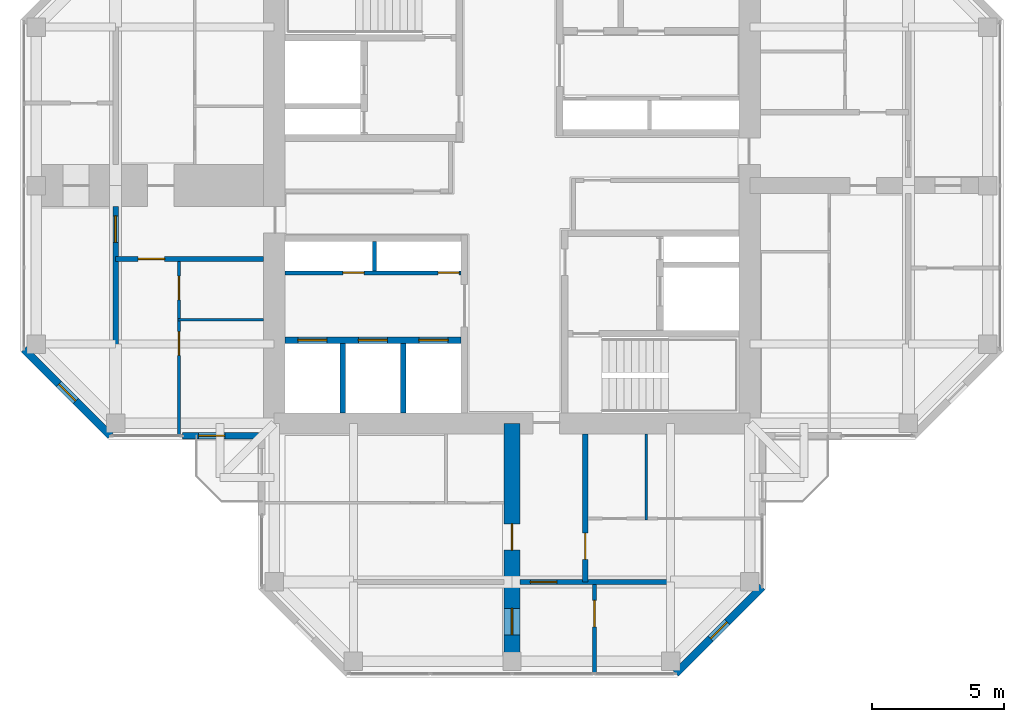
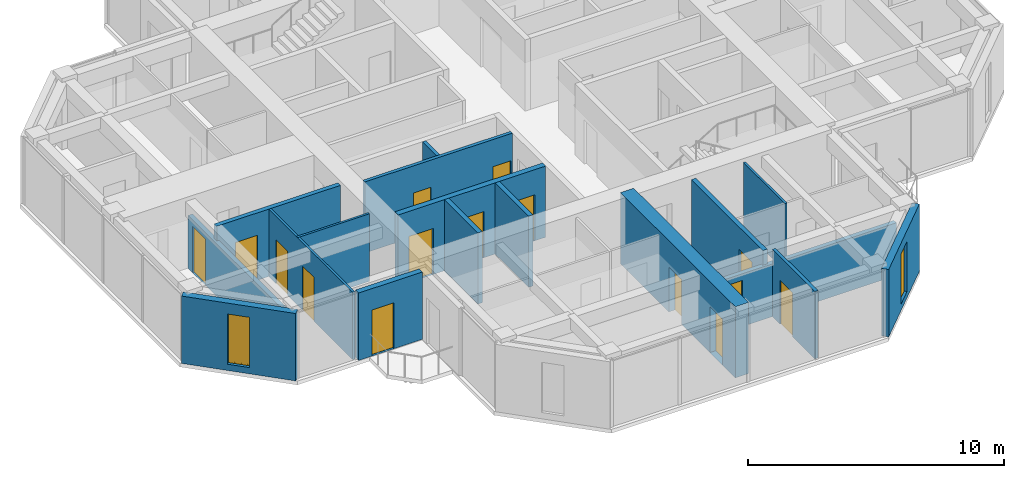
# One storey, part 8 of 13: 17 walls, 15 doors, 2 windows, 17 openings.
"""IFC4 building model written with IfcOpenShell, lengths in metres."""

from ifc_helpers import new_model, si_unit, direction, frame, frame_2d, origin, place, context, subcontext, project, spatial, rectangle, hollow_rectangle, extrude, material, layer, layer_set, constituent, constituent_set, type_object, element, fill, save


model = new_model("IFC4")

# Units and contexts
model_context = context("Model", 3, precision=1e-05, world=origin(), true_north=direction((0.0, 1.0)))
body_context = subcontext(model_context, "Body", "Model", "MODEL_VIEW")
ifc_project = project(units=[si_unit("LENGTHUNIT", "METRE"), si_unit("AREAUNIT", "SQUARE_METRE"), si_unit("VOLUMEUNIT", "CUBIC_METRE"), si_unit("PLANEANGLEUNIT", "RADIAN"), si_unit("MASSUNIT", "GRAM", prefix="KILO")], contexts=[model_context])

# Site, building, storey
site_placement = place(None, origin())
site = spatial("IfcSite", under=ifc_project, at=site_placement, CompositionType="ELEMENT")
building_placement = place(site_placement, origin())
building = spatial("IfcBuilding", under=site, at=building_placement, Name="Torre Cruceta", CompositionType="ELEMENT")
storey_placement = place(building_placement, frame((0.0, 0.0, 264.5)))
storey = spatial("IfcBuildingStorey", under=building, at=storey_placement, Name="L68", CompositionType="ELEMENT", Elevation=264.5)

# Walls
ifc_material_1 = material(Name="Water-resistant plasterboard on steel studs", Category="steel")
ifc_layer_1 = layer(ifc_material_1, 0.10009765625)
ifc_layer_set_1 = layer_set([ifc_layer_1], Name="Water-resistant plasterboard on steel studs")
wall_type_1 = type_object("IfcWallType", Name="BATHROOM WALL 100", PredefinedType="PARTITIONING", material=ifc_layer_set_1)
for number, where, z_axis, x_axis, name in (
    (1, (5.074951171875, -9.39990234375, 0.0), (0.0, 0.0, 1.0), (0.0, -1.0, 0.0), "PT4 L68-S-U1LBB"),
    (2, (-9.39990234375, -5.074951171875, 0.0), (0.0, 0.0, 1.0), (-1.0, 0.0, 0.0), "PT4 L68-W-U1LBB"),
):
    element("IfcWall", number, at=place(storey_placement, frame(where, z_axis=z_axis, x_axis=x_axis)), inside=storey, type_object=wall_type_1, Name=name, PredefinedType="PARTITIONING", context=body_context, shape_type="SweptSolid", body=[
        extrude(rectangle(XDim=3.25, YDim=0.10009765625, at=frame_2d((1.625, 0.0))), origin(), (0.0, 0.0, 1.0), 3.219970703125),
    ])

# Wall, openings, doors
wall_1_placement = place(storey_placement, frame((-12.60009765625, -2.875, 0.0), z_axis=(0.0, 0.0, 1.0), x_axis=(0.0, -1.0, 0.0)))
wall_1 = element("IfcWall", 3, at=wall_1_placement, inside=storey, type_object=wall_type_1, Name="PT4 L68-W-U1LBS", PredefinedType="PARTITIONING", context=body_context, shape_type="SweptSolid", body=[
    extrude(rectangle(XDim=6.554931640625, YDim=0.10009765625, at=frame_2d((3.27734375, 0.0))), origin(), (0.0, 0.0, 1.0), 3.219970703125),
])
opening_1_placement = place(wall_1_placement, frame((0.550048828125, 0.0, 0.0)))
opening_1 = element("IfcOpeningElement", 4, at=opening_1_placement, cuts=wall_1, Name="Opening D7", PredefinedType="OPENING", context=body_context, shape_type="SweptSolid", body=[
    extrude(rectangle(XDim=0.89990234375, YDim=2.10009765625, at=frame_2d((0.449951171875, 1.050048828125))), frame((0.0, 0.06005859375, 0.0), z_axis=(0.0, -1.0, 0.0), x_axis=(1.0, 0.0, 0.0)), (0.0, 0.0, 1.0), 0.1201171875),
])
opening_2_placement = place(wall_1_placement, frame((2.64990234375, 0.0, 0.0)))
opening_2 = element("IfcOpeningElement", 5, at=opening_2_placement, cuts=wall_1, Name="Opening D7", PredefinedType="OPENING", context=body_context, shape_type="SweptSolid", body=[
    extrude(rectangle(XDim=0.89990234375, YDim=2.10009765625, at=frame_2d((0.449951171875, 1.050048828125))), frame((0.0, 0.06005859375, 0.0), z_axis=(0.0, -1.0, 0.0), x_axis=(1.0, 0.0, 0.0)), (0.0, 0.0, 1.0), 0.1201171875),
])
ifc_material_2 = material(Name="Timber door", Category="wood")
door_type_1 = type_object("IfcDoorType", Name="BATHROOM DOOR 900X2100", OperationType="SINGLE_SWING_LEFT", PredefinedType="DOOR", material=ifc_material_2)
door_1_placement = place(opening_1_placement, origin())
door_1 = element("IfcDoor", 6, at=door_1_placement, inside=storey, type_object=door_type_1, Name="D7 L68-W-U1LBS-D1", OperationType="SINGLE_SWING_LEFT", OverallHeight=2.10009765625, OverallWidth=0.89990234375, PredefinedType="DOOR", context=body_context, shape_type="SweptSolid", body=[
    extrude(rectangle(XDim=0.89990234375, YDim=2.10009765625, at=frame_2d((0.449951171875, 1.050048828125))), frame((0.0, 0.02490234375, 0.0), z_axis=(0.0, -1.0, 0.0), x_axis=(1.0, 0.0, 0.0)), (0.0, 0.0, 1.0), 0.050048828125),
])
fill(opening_1, door_1)
door_2_placement = place(opening_2_placement, origin())
door_2 = element("IfcDoor", 7, at=door_2_placement, inside=storey, type_object=door_type_1, Name="D7 L68-W-U1LBS-D2", OperationType="SINGLE_SWING_LEFT", OverallHeight=2.10009765625, OverallWidth=0.89990234375, PredefinedType="DOOR", context=body_context, shape_type="SweptSolid", body=[
    extrude(rectangle(XDim=0.89990234375, YDim=2.10009765625, at=frame_2d((0.449951171875, 1.050048828125))), frame((0.0, 0.02490234375, 0.0), z_axis=(0.0, -1.0, 0.0), x_axis=(1.0, 0.0, 0.0)), (0.0, 0.0, 1.0), 0.050048828125),
])
fill(opening_2, door_2)

ifc_material_3 = material(Name="Concrete G60 (fck 60 MPa)", Category="concrete")
ifc_layer_2 = layer(ifc_material_3, 0.25)
ifc_layer_set_2 = layer_set([ifc_layer_2], Name="Concrete G60 (fck 60 MPa)")
wall_type_2 = type_object("IfcWallType", Name="CORE INNER WALL 250 G60", PredefinedType="SHEAR", material=ifc_layer_set_2)
wall_2_placement = place(storey_placement, frame((-1.925048828125, -5.85009765625, 0.0), z_axis=(0.0, 0.0, 1.0), x_axis=(-1.0, 0.0, 0.0)))
wall_2 = element("IfcWall", 8, at=wall_2_placement, inside=storey, type_object=wall_type_2, Name="CW4 L68 SW-LV", PredefinedType="SHEAR", context=body_context, shape_type="SweptSolid", body=[
    extrude(rectangle(XDim=6.675048828125, YDim=0.25, at=frame_2d((3.33740234375, 0.0))), origin(), (0.0, 0.0, 1.0), 3.39990234375),
])
opening_3_placement = place(wall_2_placement, frame((0.495849609375, 0.0, 0.0)))
opening_3 = element("IfcOpeningElement", 9, at=opening_3_placement, cuts=wall_2, Name="Opening LD1", PredefinedType="OPENING", context=body_context, shape_type="SweptSolid", body=[
    extrude(rectangle(XDim=1.10009765625, YDim=2.199951171875, at=frame_2d((0.550048828125, 1.10009765625))), frame((0.0, 0.135009765625, 0.0), z_axis=(0.0, -1.0, 0.0), x_axis=(1.0, 0.0, 0.0)), (0.0, 0.0, 1.0), 0.27001953125),
])
opening_4_placement = place(wall_2_placement, frame((2.78759765625, 0.0, 0.0)))
opening_4 = element("IfcOpeningElement", 10, at=opening_4_placement, cuts=wall_2, Name="Opening LD1", PredefinedType="OPENING", context=body_context, shape_type="SweptSolid", body=[
    extrude(rectangle(XDim=1.10009765625, YDim=2.199951171875, at=frame_2d((0.550048828125, 1.10009765625))), frame((0.0, 0.135009765625, 0.0), z_axis=(0.0, -1.0, 0.0), x_axis=(1.0, 0.0, 0.0)), (0.0, 0.0, 1.0), 0.27001953125),
])
opening_5_placement = place(wall_2_placement, frame((5.0791015625, 0.0, 0.0)))
opening_5 = element("IfcOpeningElement", 11, at=opening_5_placement, cuts=wall_2, Name="Opening LD1", PredefinedType="OPENING", context=body_context, shape_type="SweptSolid", body=[
    extrude(rectangle(XDim=1.10009765625, YDim=2.199951171875, at=frame_2d((0.550048828125, 1.10009765625))), frame((0.0, 0.135009765625, 0.0), z_axis=(0.0, -1.0, 0.0), x_axis=(1.0, 0.0, 0.0)), (0.0, 0.0, 1.0), 0.27001953125),
])
ifc_material_4 = material(Name="Stainless steel 1.4401", Category="steel")
door_type_2 = type_object("IfcDoorType", Name="LIFT LANDING DOOR 1100X2200", OperationType="DOUBLE_DOOR_SLIDING", PredefinedType="DOOR", material=ifc_material_4)
door_3_placement = place(opening_3_placement, origin())
door_3 = element("IfcDoor", 12, at=door_3_placement, inside=storey, type_object=door_type_2, Name="Lift landing door R1", OperationType="DOUBLE_DOOR_SLIDING", OverallHeight=2.199951171875, OverallWidth=1.10009765625, PredefinedType="DOOR", context=body_context, shape_type="SweptSolid", body=[
    extrude(rectangle(XDim=1.10009765625, YDim=2.199951171875, at=frame_2d((0.550048828125, 1.10009765625))), frame((0.0, 0.02490234375, 0.0), z_axis=(0.0, -1.0, 0.0), x_axis=(1.0, 0.0, 0.0)), (0.0, 0.0, 1.0), 0.050048828125),
])
fill(opening_3, door_3)
door_4_placement = place(opening_4_placement, origin())
door_4 = element("IfcDoor", 13, at=door_4_placement, inside=storey, type_object=door_type_2, Name="Lift landing door R2", OperationType="DOUBLE_DOOR_SLIDING", OverallHeight=2.199951171875, OverallWidth=1.10009765625, PredefinedType="DOOR", context=body_context, shape_type="SweptSolid", body=[
    extrude(rectangle(XDim=1.10009765625, YDim=2.199951171875, at=frame_2d((0.550048828125, 1.10009765625))), frame((0.0, 0.02490234375, 0.0), z_axis=(0.0, -1.0, 0.0), x_axis=(1.0, 0.0, 0.0)), (0.0, 0.0, 1.0), 0.050048828125),
])
fill(opening_4, door_4)
door_5_placement = place(opening_5_placement, origin())
door_5 = element("IfcDoor", 14, at=door_5_placement, inside=storey, type_object=door_type_2, Name="Lift landing door R3", OperationType="DOUBLE_DOOR_SLIDING", OverallHeight=2.199951171875, OverallWidth=1.10009765625, PredefinedType="DOOR", context=body_context, shape_type="SweptSolid", body=[
    extrude(rectangle(XDim=1.10009765625, YDim=2.199951171875, at=frame_2d((0.550048828125, 1.10009765625))), frame((0.0, 0.02490234375, 0.0), z_axis=(0.0, -1.0, 0.0), x_axis=(1.0, 0.0, 0.0)), (0.0, 0.0, 1.0), 0.050048828125),
])
fill(opening_5, door_5)

# Wall, opening, door
ifc_material_5 = material(Name="Concrete G25 (fck 25 MPa)", Category="concrete")
ifc_layer_3 = layer(ifc_material_5, 0.199951171875)
ifc_layer_set_3 = layer_set([ifc_layer_3], Name="Concrete G25 (fck 25 MPa)")
wall_type_3 = type_object("IfcWallType", Name="CORRIDOR WALL 200", PredefinedType="SOLIDWALL", material=ifc_layer_set_3)
wall_3_placement = place(storey_placement, frame((2.77490234375, -9.39990234375, 0.0), z_axis=(0.0, 0.0, 1.0), x_axis=(0.0, -1.0, 0.0)))
wall_3 = element("IfcWall", 15, at=wall_3_placement, inside=storey, type_object=wall_type_3, Name="PT3 L68-S-CL", PredefinedType="SOLIDWALL", context=body_context, shape_type="SweptSolid", body=[
    extrude(rectangle(XDim=5.60009765625, YDim=0.199951171875, at=frame_2d((2.800048828125, 0.0))), origin(), (0.0, 0.0, 1.0), 3.219970703125),
])
opening_6_placement = place(wall_3_placement, frame((3.75, 0.0, 0.0)))
opening_6 = element("IfcOpeningElement", 16, at=opening_6_placement, cuts=wall_3, Name="Opening D6", PredefinedType="OPENING", context=body_context, shape_type="SweptSolid", body=[
    extrude(rectangle(XDim=1.0, YDim=2.14990234375, at=frame_2d((0.5, 1.074951171875))), frame((0.0, 0.10986328125, 0.0), z_axis=(0.0, -1.0, 0.0), x_axis=(1.0, 0.0, 0.0)), (0.0, 0.0, 1.0), 0.219970703125),
])
ifc_material_6 = material(Name="Timber fire door", Category="wood")
door_type_3 = type_object("IfcDoorType", Name="UNIT ENTRANCE DOOR 1000X2150", OperationType="SINGLE_SWING_LEFT", PredefinedType="DOOR", material=ifc_material_6)
door_6_placement = place(opening_6_placement, origin())
door_6 = element("IfcDoor", 17, at=door_6_placement, inside=storey, type_object=door_type_3, Name="D6 L68-S-CL-D1", OperationType="SINGLE_SWING_LEFT", OverallHeight=2.14990234375, OverallWidth=1.0, PredefinedType="DOOR", context=body_context, shape_type="SweptSolid", body=[
    extrude(rectangle(XDim=1.0, YDim=2.14990234375, at=frame_2d((0.5, 1.074951171875))), frame((0.0, 0.02490234375, 0.0), z_axis=(0.0, -1.0, 0.0), x_axis=(1.0, 0.0, 0.0)), (0.0, 0.0, 1.0), 0.050048828125),
])
fill(opening_6, door_6)

wall_4_placement = place(storey_placement, frame((-9.39990234375, -2.77490234375, 0.0), z_axis=(0.0, 0.0, 1.0), x_axis=(-1.0, 0.0, 0.0)))
wall_4 = element("IfcWall", 18, at=wall_4_placement, inside=storey, type_object=wall_type_3, Name="PT3 L68-W-CL", PredefinedType="SOLIDWALL", context=body_context, shape_type="SweptSolid", body=[
    extrude(rectangle(XDim=5.60009765625, YDim=0.199951171875, at=frame_2d((2.800048828125, 0.0))), origin(), (0.0, 0.0, 1.0), 3.219970703125),
])
opening_7_placement = place(wall_4_placement, frame((3.75, 0.0, 0.0)))
opening_7 = element("IfcOpeningElement", 19, at=opening_7_placement, cuts=wall_4, Name="Opening D6", PredefinedType="OPENING", context=body_context, shape_type="SweptSolid", body=[
    extrude(rectangle(XDim=1.0, YDim=2.14990234375, at=frame_2d((0.5, 1.074951171875))), frame((0.0, 0.10986328125, 0.0), z_axis=(0.0, -1.0, 0.0), x_axis=(1.0, 0.0, 0.0)), (0.0, 0.0, 1.0), 0.219970703125),
])
door_7_placement = place(opening_7_placement, origin())
door_7 = element("IfcDoor", 20, at=door_7_placement, inside=storey, type_object=door_type_3, Name="D6 L68-W-CL-D1", OperationType="SINGLE_SWING_LEFT", OverallHeight=2.14990234375, OverallWidth=1.0, PredefinedType="DOOR", context=body_context, shape_type="SweptSolid", body=[
    extrude(rectangle(XDim=1.0, YDim=2.14990234375, at=frame_2d((0.5, 1.074951171875))), frame((0.0, 0.02490234375, 0.0), z_axis=(0.0, -1.0, 0.0), x_axis=(1.0, 0.0, 0.0)), (0.0, 0.0, 1.0), 0.050048828125),
])
fill(opening_7, door_7)

# Wall, opening, window
ifc_material_7 = material(Name="Concrete G30 (fck 30 MPa)", Category="concrete")
ifc_layer_4 = layer(ifc_material_7, 0.300048828125)
ifc_layer_set_4 = layer_set([ifc_layer_4], Name="Concrete G30 (fck 30 MPa)")
wall_type_4 = type_object("IfcWallType", Name="EXPOSED CONCRETE FACADE WALL 300", PredefinedType="SOLIDWALL", material=ifc_layer_set_4)
wall_5_placement = place(storey_placement, frame((-18.469970703125, -6.194580078125, 0.0), z_axis=(0.0, 0.0, 1.0), x_axis=(0.707106781187, -0.707106781187, 0.0)))
wall_5 = element("IfcWall", 21, at=wall_5_placement, inside=storey, type_object=wall_type_4, Name="EW1 facade wall L68 W chamfer 13", PredefinedType="SOLIDWALL", context=body_context, shape_type="SweptSolid", body=[
    extrude(rectangle(XDim=4.632080078125, YDim=0.300048828125, at=frame_2d((2.31591796875, 0.0))), origin(), (0.0, 0.0, 1.0), 3.219970703125),
])
opening_8_placement = place(wall_5_placement, frame((1.865966796875, 0.0, 0.300048828125)))
opening_8 = element("IfcOpeningElement", 22, at=opening_8_placement, cuts=wall_5, Name="Opening WN5", PredefinedType="OPENING", context=body_context, shape_type="SweptSolid", body=[
    extrude(rectangle(XDim=0.89990234375, YDim=2.39990234375, at=frame_2d((0.449951171875, 1.199951171875))), frame((0.0, 0.159912109375, 0.0), z_axis=(0.0, -1.0, 0.0), x_axis=(1.0, 0.0, 0.0)), (0.0, 0.0, 1.0), 0.320068359375),
])
ifc_material_8 = material(Name="Aluminium window frame", Category="aluminium")
ifc_constituent_1 = constituent(ifc_material_8, Name="Frame")
ifc_material_9 = material(Name="Laminated insulating glass unit, low-iron clear", Category="glass")
ifc_constituent_2 = constituent(ifc_material_9, Name="Glazing")
ifc_constituent_set_1 = constituent_set(constituents=[ifc_constituent_1, ifc_constituent_2], Name="Aluminium window")
window_type = type_object("IfcWindowType", Name="CHAMFER SLOT WINDOW 900X2400", PartitioningType="SINGLE_PANEL", PredefinedType="WINDOW", material=ifc_constituent_set_1)
window_1_placement = place(opening_8_placement, origin())
window_1 = element("IfcWindow", 23, at=window_1_placement, inside=storey, type_object=window_type, Name="WN5 L68 W 1", OverallHeight=2.39990234375, OverallWidth=0.89990234375, PartitioningType="SINGLE_PANEL", PredefinedType="WINDOW", context=body_context, shape_type="SweptSolid", body=[
    extrude(hollow_rectangle(XDim=0.89990234375, YDim=2.39990234375, WallThickness=0.06005859375, at=frame_2d((0.449951171875, 1.199951171875))), frame((0.0, 0.030029296875, 0.0), z_axis=(0.0, -1.0, 0.0), x_axis=(1.0, 0.0, 0.0)), (0.0, 0.0, 1.0), 0.06005859375),
    extrude(rectangle(XDim=0.77880859375, YDim=2.27880859375, at=frame_2d((0.449951171875, 1.199951171875))), frame((0.0, 0.030029296875, 0.0), z_axis=(0.0, -1.0, 0.0), x_axis=(1.0, 0.0, 0.0)), (0.0, 0.0, 1.0), 0.06005859375),
])
fill(opening_8, window_1)

wall_6_placement = place(storey_placement, frame((6.194580078125, -18.469970703125, 0.0), z_axis=(0.0, 0.0, 1.0), x_axis=(0.707106781187, 0.707106781187, 0.0)))
wall_6 = element("IfcWall", 24, at=wall_6_placement, inside=storey, type_object=wall_type_4, Name="EW1 facade wall L68 S chamfer 18", PredefinedType="SOLIDWALL", context=body_context, shape_type="SweptSolid", body=[
    extrude(rectangle(XDim=4.632080078125, YDim=0.300048828125, at=frame_2d((2.31591796875, 0.0))), origin(), (0.0, 0.0, 1.0), 3.219970703125),
])
opening_9_placement = place(wall_6_placement, frame((1.865966796875, 0.0, 0.300048828125)))
opening_9 = element("IfcOpeningElement", 25, at=opening_9_placement, cuts=wall_6, Name="Opening WN5", PredefinedType="OPENING", context=body_context, shape_type="SweptSolid", body=[
    extrude(rectangle(XDim=0.89990234375, YDim=2.39990234375, at=frame_2d((0.449951171875, 1.199951171875))), frame((0.0, 0.159912109375, 0.0), z_axis=(0.0, -1.0, 0.0), x_axis=(1.0, 0.0, 0.0)), (0.0, 0.0, 1.0), 0.320068359375),
])
window_2_placement = place(opening_9_placement, origin())
window_2 = element("IfcWindow", 26, at=window_2_placement, inside=storey, type_object=window_type, Name="WN5 L68 S 1", OverallHeight=2.39990234375, OverallWidth=0.89990234375, PartitioningType="SINGLE_PANEL", PredefinedType="WINDOW", context=body_context, shape_type="SweptSolid", body=[
    extrude(hollow_rectangle(XDim=0.89990234375, YDim=2.39990234375, WallThickness=0.06005859375, at=frame_2d((0.449951171875, 1.199951171875))), frame((0.0, 0.030029296875, 0.0), z_axis=(0.0, -1.0, 0.0), x_axis=(1.0, 0.0, 0.0)), (0.0, 0.0, 1.0), 0.06005859375),
    extrude(rectangle(XDim=0.77880859375, YDim=2.27880859375, at=frame_2d((0.449951171875, 1.199951171875))), frame((0.0, 0.030029296875, 0.0), z_axis=(0.0, -1.0, 0.0), x_axis=(1.0, 0.0, 0.0)), (0.0, 0.0, 1.0), 0.06005859375),
])
fill(opening_9, window_2)

# Walls
ifc_material_10 = material(Name="Concrete G35 (fck 35 MPa)", Category="concrete")
ifc_layer_5 = layer(ifc_material_10, 0.199951171875)
ifc_layer_set_5 = layer_set([ifc_layer_5], Name="Concrete G35 (fck 35 MPa)")
wall_type_5 = type_object("IfcWallType", Name="LIFT SHAFT WALL 200", PredefinedType="PARTITIONING", material=ifc_layer_set_5)
for number, where, z_axis, x_axis, name in (
    (27, (-4.11669921875, -5.97509765625, 0.0), (0.0, 0.0, 1.0), (0.0, -1.0, 0.0), "SW1 L68 SW-LS1"),
    (28, (-6.408447265625, -5.97509765625, 0.0), (0.0, 0.0, 1.0), (0.0, -1.0, 0.0), "SW1 L68 SW-LS2"),
):
    element("IfcWall", number, at=place(storey_placement, frame(where, z_axis=z_axis, x_axis=x_axis)), inside=storey, type_object=wall_type_5, Name=name, PredefinedType="PARTITIONING", context=body_context, shape_type="SweptSolid", body=[
        extrude(rectangle(XDim=2.625, YDim=0.199951171875, at=frame_2d((1.3125, 0.0))), origin(), (0.0, 0.0, 1.0), 3.39990234375),
    ])

# Wall, opening, door
ifc_material_11 = material(Name="Plasterboard on steel studs", Category="steel")
ifc_layer_6 = layer(ifc_material_11, 0.14990234375)
ifc_layer_set_6 = layer_set([ifc_layer_6], Name="Plasterboard on steel studs")
wall_type_6 = type_object("IfcWallType", Name="PARTITION 150", PredefinedType="PARTITIONING", material=ifc_layer_set_6)
wall_7_placement = place(storey_placement, frame((3.117919921875, -15.10009765625, 0.0), z_axis=(0.0, 0.0, 1.0), x_axis=(0.0, -1.0, 0.0)))
wall_7 = element("IfcWall", 29, at=wall_7_placement, inside=storey, type_object=wall_type_6, Name="PT1 L68-S-ENDX", PredefinedType="PARTITIONING", context=body_context, shape_type="SweptSolid", body=[
    extrude(rectangle(XDim=3.329833984375, YDim=0.14990234375, at=frame_2d((1.6650390625, 0.0))), origin(), (0.0, 0.0, 1.0), 3.219970703125),
])
opening_10_placement = place(wall_7_placement, frame((0.60009765625, 0.0, 0.0)))
opening_10 = element("IfcOpeningElement", 30, at=opening_10_placement, cuts=wall_7, Name="Opening D3", PredefinedType="OPENING", context=body_context, shape_type="SweptSolid", body=[
    extrude(rectangle(XDim=1.0, YDim=2.10009765625, at=frame_2d((0.5, 1.050048828125))), frame((0.0, 0.0849609375, 0.0), z_axis=(0.0, -1.0, 0.0), x_axis=(1.0, 0.0, 0.0)), (0.0, 0.0, 1.0), 0.169921875),
])
ifc_material_12 = material(Name="Steel DX51D", Category="steel")
ifc_constituent_3 = constituent(ifc_material_12, Name="Leaf and frame")
ifc_material_13 = material(Name="Polyester powder coating", Category="paint")
ifc_constituent_4 = constituent(ifc_material_13, Name="Finish")
ifc_constituent_set_2 = constituent_set(constituents=[ifc_constituent_3, ifc_constituent_4], Name="Steel fire door")
door_type_4 = type_object("IfcDoorType", Name="FIRE DOOR 1000X2100", OperationType="SINGLE_SWING_LEFT", PredefinedType="DOOR", material=ifc_constituent_set_2)
door_8_placement = place(opening_10_placement, frame((1.0, 0.0, 0.0), z_axis=(0.0, 0.0, 1.0), x_axis=(-1.0, 0.0, 0.0)))
door_8 = element("IfcDoor", 31, at=door_8_placement, inside=storey, type_object=door_type_4, Name="D3 L68-S-ENDX-D1", OperationType="SINGLE_SWING_RIGHT", OverallHeight=2.10009765625, OverallWidth=1.0, PredefinedType="DOOR", context=body_context, shape_type="SweptSolid", body=[
    extrude(rectangle(XDim=1.0, YDim=2.10009765625, at=frame_2d((0.5, 1.050048828125))), frame((0.0, 0.025146484375, 0.0), z_axis=(0.0, -1.0, 0.0), x_axis=(1.0, 0.0, 0.0)), (0.0, 0.0, 1.0), 0.050048828125),
])
fill(opening_10, door_8)

# Wall, openings, doors
ifc_material_14 = material(Name="Concrete block masonry", Category="masonry")
ifc_layer_7 = layer(ifc_material_14, 0.14990234375)
ifc_layer_set_7 = layer_set([ifc_layer_7], Name="Concrete block masonry")
wall_type_7 = type_object("IfcWallType", Name="RISER WALL 150", PredefinedType="PARTITIONING", material=ifc_layer_set_7)
wall_8_placement = place(storey_placement, frame((-1.925048828125, -3.300048828125, 0.0), z_axis=(0.0, 0.0, 1.0), x_axis=(-1.0, 0.0, 0.0)))
wall_8 = element("IfcWall", 32, at=wall_8_placement, inside=storey, type_object=wall_type_7, Name="SW7 L68 SW-RV", PredefinedType="PARTITIONING", context=body_context, shape_type="SweptSolid", body=[
    extrude(rectangle(XDim=6.675048828125, YDim=0.14990234375, at=frame_2d((3.33740234375, 0.0))), origin(), (0.0, 0.0, 1.0), 3.39990234375),
])
opening_11_placement = place(wall_8_placement, frame((0.074951171875, 0.0, 0.0)))
opening_11 = element("IfcOpeningElement", 33, at=opening_11_placement, cuts=wall_8, Name="Opening D5", PredefinedType="OPENING", context=body_context, shape_type="SweptSolid", body=[
    extrude(rectangle(XDim=0.800048828125, YDim=2.10009765625, at=frame_2d((0.39990234375, 1.050048828125))), frame((0.0, 0.0849609375, 0.0), z_axis=(0.0, -1.0, 0.0), x_axis=(1.0, 0.0, 0.0)), (0.0, 0.0, 1.0), 0.169921875),
])
opening_12_placement = place(wall_8_placement, frame((3.675048828125, 0.0, 0.0)))
opening_12 = element("IfcOpeningElement", 34, at=opening_12_placement, cuts=wall_8, Name="Opening D5", PredefinedType="OPENING", context=body_context, shape_type="SweptSolid", body=[
    extrude(rectangle(XDim=0.800048828125, YDim=2.10009765625, at=frame_2d((0.39990234375, 1.050048828125))), frame((0.0, 0.0849609375, 0.0), z_axis=(0.0, -1.0, 0.0), x_axis=(1.0, 0.0, 0.0)), (0.0, 0.0, 1.0), 0.169921875),
])
ifc_material_15 = material(Name="Steel DX51D", Category="steel")
ifc_constituent_5 = constituent(ifc_material_15, Name="Leaf and frame")
ifc_material_16 = material(Name="Polyester powder coating", Category="paint")
ifc_constituent_6 = constituent(ifc_material_16, Name="Finish")
ifc_constituent_set_3 = constituent_set(constituents=[ifc_constituent_5, ifc_constituent_6], Name="Steel fire door")
door_type_5 = type_object("IfcDoorType", Name="RISER ACCESS DOOR 800X2100", OperationType="SINGLE_SWING_LEFT", PredefinedType="DOOR", material=ifc_constituent_set_3)
door_9_placement = place(opening_11_placement, frame((0.800048828125, 0.0, 0.0), z_axis=(0.0, 0.0, 1.0), x_axis=(-1.0, 0.0, 0.0)))
door_9 = element("IfcDoor", 35, at=door_9_placement, inside=storey, type_object=door_type_5, Name="D5 L68 SW-RISER1", OperationType="SINGLE_SWING_RIGHT", OverallHeight=2.10009765625, OverallWidth=0.800048828125, PredefinedType="DOOR", context=body_context, shape_type="SweptSolid", body=[
    extrude(rectangle(XDim=0.800048828125, YDim=2.10009765625, at=frame_2d((0.400146484375, 1.050048828125))), frame((0.0, 0.025146484375, 0.0), z_axis=(0.0, -1.0, 0.0), x_axis=(1.0, 0.0, 0.0)), (0.0, 0.0, 1.0), 0.050048828125),
])
fill(opening_11, door_9)
door_10_placement = place(opening_12_placement, frame((0.800048828125, 0.0, 0.0), z_axis=(0.0, 0.0, 1.0), x_axis=(-1.0, 0.0, 0.0)))
door_10 = element("IfcDoor", 36, at=door_10_placement, inside=storey, type_object=door_type_5, Name="D5 L68 SW-RISER2", OperationType="SINGLE_SWING_RIGHT", OverallHeight=2.10009765625, OverallWidth=0.800048828125, PredefinedType="DOOR", context=body_context, shape_type="SweptSolid", body=[
    extrude(rectangle(XDim=0.800048828125, YDim=2.10009765625, at=frame_2d((0.400146484375, 1.050048828125))), frame((0.0, 0.025146484375, 0.0), z_axis=(0.0, -1.0, 0.0), x_axis=(1.0, 0.0, 0.0)), (0.0, 0.0, 1.0), 0.050048828125),
])
fill(opening_12, door_10)

# Wall
wall_9_placement = place(storey_placement, frame((-5.199951171875, -2.125, 0.0), z_axis=(0.0, 0.0, 1.0), x_axis=(0.0, -1.0, 0.0)))
element("IfcWall", 37, at=wall_9_placement, inside=storey, type_object=wall_type_7, Name="SW7 L68 SW-RU", PredefinedType="PARTITIONING", context=body_context, shape_type="SweptSolid", body=[
    extrude(rectangle(XDim=1.10009765625, YDim=0.14990234375, at=frame_2d((0.550048828125, 0.0))), origin(), (0.0, 0.0, 1.0), 3.39990234375),
])

# Wall, openings, doors
ifc_material_17 = material(Name="Concrete G60 (fck 60 MPa)", Category="concrete")
ifc_layer_8 = layer(ifc_material_17, 0.60009765625)
ifc_layer_set_8 = layer_set([ifc_layer_8], Name="Concrete G60 (fck 60 MPa)")
wall_type_8 = type_object("IfcWallType", Name="SPINE WALL 600 G60", PredefinedType="SHEAR", material=ifc_layer_set_8)
wall_10_placement = place(storey_placement, frame((0.0, -9.0, 0.0), z_axis=(0.0, 0.0, 1.0), x_axis=(0.0, -1.0, 0.0)))
wall_10 = element("IfcWall", 38, at=wall_10_placement, inside=storey, type_object=wall_type_8, Name="SW5 spine wall L68 S", PredefinedType="SHEAR", context=body_context, shape_type="SweptSolid", body=[
    extrude(rectangle(XDim=9.0, YDim=0.60009765625, at=frame_2d((4.5, 0.0))), origin(), (0.0, 0.0, 1.0), 3.39990234375),
])
opening_13_placement = place(wall_10_placement, frame((3.800048828125, 0.0, 0.0)))
opening_13 = element("IfcOpeningElement", 39, at=opening_13_placement, cuts=wall_10, Name="Opening D6", PredefinedType="OPENING", context=body_context, shape_type="SweptSolid", body=[
    extrude(rectangle(XDim=1.0, YDim=2.14990234375, at=frame_2d((0.5, 1.074951171875))), frame((0.0, 0.31005859375, 0.0), z_axis=(0.0, -1.0, 0.0), x_axis=(1.0, 0.0, 0.0)), (0.0, 0.0, 1.0), 0.6201171875),
])
opening_14_placement = place(wall_10_placement, frame((7.0, 0.0, 0.0)))
opening_14 = element("IfcOpeningElement", 40, at=opening_14_placement, cuts=wall_10, Name="Opening D14", PredefinedType="OPENING", context=body_context, shape_type="SweptSolid", body=[
    extrude(rectangle(XDim=1.0, YDim=2.199951171875, at=frame_2d((0.5, 1.10009765625))), frame((0.0, 0.31005859375, 0.0), z_axis=(0.0, -1.0, 0.0), x_axis=(1.0, 0.0, 0.0)), (0.0, 0.0, 1.0), 0.6201171875),
])
ifc_material_18 = material(Name="Steel DX51D", Category="steel")
ifc_constituent_7 = constituent(ifc_material_18, Name="Leaf and frame")
ifc_material_19 = material(Name="Polyester powder coating", Category="paint")
ifc_constituent_8 = constituent(ifc_material_19, Name="Finish")
ifc_material_20 = material(Name="Fire-resisting glass", Category="glass")
ifc_constituent_9 = constituent(ifc_material_20, Name="Vision panel")
ifc_constituent_set_4 = constituent_set(constituents=[ifc_constituent_7, ifc_constituent_8, ifc_constituent_9], Name="Steel fire door with vision panel")
door_type_6 = type_object("IfcDoorType", Name="FIRE DOOR VISION PANEL 1000X2200", OperationType="SINGLE_SWING_RIGHT", PredefinedType="DOOR", material=ifc_constituent_set_4)
door_11_placement = place(opening_14_placement, origin())
door_11 = element("IfcDoor", 41, at=door_11_placement, inside=storey, type_object=door_type_6, Name="D14 L68-S-SP2", OperationType="SINGLE_SWING_LEFT", OverallHeight=2.199951171875, OverallWidth=1.0, PredefinedType="DOOR", context=body_context, shape_type="SweptSolid", body=[
    extrude(rectangle(XDim=1.0, YDim=2.199951171875, at=frame_2d((0.5, 1.10009765625))), frame((0.0, 0.02490234375, 0.0), z_axis=(0.0, -1.0, 0.0), x_axis=(1.0, 0.0, 0.0)), (0.0, 0.0, 1.0), 0.050048828125),
])
fill(opening_14, door_11)
door_12_placement = place(opening_13_placement, frame((1.0, 0.0, 0.0), z_axis=(0.0, 0.0, 1.0), x_axis=(-1.0, 0.0, 0.0)))
door_12 = element("IfcDoor", 42, at=door_12_placement, inside=storey, type_object=door_type_3, Name="D6 L68-S-SP1", OperationType="SINGLE_SWING_RIGHT", OverallHeight=2.14990234375, OverallWidth=1.0, PredefinedType="DOOR", context=body_context, shape_type="SweptSolid", body=[
    extrude(rectangle(XDim=1.0, YDim=2.14990234375, at=frame_2d((0.5, 1.074951171875))), frame((0.0, 0.025146484375, 0.0), z_axis=(0.0, -1.0, 0.0), x_axis=(1.0, 0.0, 0.0)), (0.0, 0.0, 1.0), 0.050048828125),
])
fill(opening_13, door_12)

# Wall, opening, door
ifc_material_21 = material(Name="Concrete G25 (fck 25 MPa)", Category="concrete")
ifc_layer_9 = layer(ifc_material_21, 0.199951171875)
ifc_layer_set_9 = layer_set([ifc_layer_9], Name="Concrete G25 (fck 25 MPa)")
wall_type_9 = type_object("IfcWallType", Name="UNIT SEPARATING WALL 200", PredefinedType="SOLIDWALL", material=ifc_layer_set_9)
wall_11_placement = place(storey_placement, frame((0.300048828125, -15.0, 0.0), z_axis=(0.0, 0.0, 1.0), x_axis=(1.0, 0.0, 0.0)))
wall_11 = element("IfcWall", 43, at=wall_11_placement, inside=storey, type_object=wall_type_9, Name="PT2 L68-S-ENDb", PredefinedType="SOLIDWALL", context=body_context, shape_type="SweptSolid", body=[
    extrude(rectangle(XDim=8.349853515625, YDim=0.199951171875, at=frame_2d((4.1748046875, 0.0))), origin(), (0.0, 0.0, 1.0), 2.52001953125),
])
opening_15_placement = place(wall_11_placement, frame((0.39990234375, 0.0, 0.0)))
opening_15 = element("IfcOpeningElement", 44, at=opening_15_placement, cuts=wall_11, Name="Opening D14", PredefinedType="OPENING", context=body_context, shape_type="SweptSolid", body=[
    extrude(rectangle(XDim=1.0, YDim=2.199951171875, at=frame_2d((0.5, 1.10009765625))), frame((0.0, 0.10986328125, 0.0), z_axis=(0.0, -1.0, 0.0), x_axis=(1.0, 0.0, 0.0)), (0.0, 0.0, 1.0), 0.219970703125),
])
door_13_placement = place(opening_15_placement, frame((1.0, 0.0, 0.0), z_axis=(0.0, 0.0, 1.0), x_axis=(-1.0, 0.0, 0.0)))
door_13 = element("IfcDoor", 45, at=door_13_placement, inside=storey, type_object=door_type_6, Name="D14 L68-S-ENDb-D1", OperationType="SINGLE_SWING_LEFT", OverallHeight=2.199951171875, OverallWidth=1.0, PredefinedType="DOOR", context=body_context, shape_type="SweptSolid", body=[
    extrude(rectangle(XDim=1.0, YDim=2.199951171875, at=frame_2d((0.5, 1.10009765625))), frame((0.0, 0.025146484375, 0.0), z_axis=(0.0, -1.0, 0.0), x_axis=(1.0, 0.0, 0.0)), (0.0, 0.0, 1.0), 0.050048828125),
])
fill(opening_15, door_13)

wall_12_placement = place(storey_placement, frame((-15.0, -0.800048828125, 0.0), z_axis=(0.0, 0.0, 1.0), x_axis=(0.0, -1.0, 0.0)))
wall_12 = element("IfcWall", 46, at=wall_12_placement, inside=storey, type_object=wall_type_9, Name="PT2 L68-W-ENDb", PredefinedType="SOLIDWALL", context=body_context, shape_type="SweptSolid", body=[
    extrude(rectangle(XDim=7.849853515625, YDim=0.199951171875, at=frame_2d((3.9248046875, 0.0))), origin(), (0.0, 0.0, 1.0), 2.52001953125),
])
opening_16_placement = place(wall_12_placement, frame((0.35009765625, 0.0, 0.0)))
opening_16 = element("IfcOpeningElement", 47, at=opening_16_placement, cuts=wall_12, Name="Opening D14", PredefinedType="OPENING", context=body_context, shape_type="SweptSolid", body=[
    extrude(rectangle(XDim=1.0, YDim=2.199951171875, at=frame_2d((0.5, 1.10009765625))), frame((0.0, 0.10986328125, 0.0), z_axis=(0.0, -1.0, 0.0), x_axis=(1.0, 0.0, 0.0)), (0.0, 0.0, 1.0), 0.219970703125),
])
door_14_placement = place(opening_16_placement, frame((1.0, 0.0, 0.0), z_axis=(0.0, 0.0, 1.0), x_axis=(-1.0, 0.0, 0.0)))
door_14 = element("IfcDoor", 48, at=door_14_placement, inside=storey, type_object=door_type_6, Name="D14 L68-W-ENDb-D1", OperationType="SINGLE_SWING_RIGHT", OverallHeight=2.199951171875, OverallWidth=1.0, PredefinedType="DOOR", context=body_context, shape_type="SweptSolid", body=[
    extrude(rectangle(XDim=1.0, YDim=2.199951171875, at=frame_2d((0.5, 1.10009765625))), frame((0.0, 0.025146484375, 0.0), z_axis=(0.0, -1.0, 0.0), x_axis=(1.0, 0.0, 0.0)), (0.0, 0.0, 1.0), 0.050048828125),
])
fill(opening_16, door_14)

ifc_material_22 = material(Name="Concrete G30 (fck 30 MPa)", Category="concrete")
ifc_layer_10 = layer(ifc_material_22, 0.25)
ifc_layer_set_10 = layer_set([ifc_layer_10], Name="Concrete G30 (fck 30 MPa)")
wall_type_10 = type_object("IfcWallType", Name="WINTER GARDEN WALL 250", PredefinedType="SOLIDWALL", material=ifc_layer_set_10)
wall_13_placement = place(storey_placement, frame((-12.469970703125, -9.469970703125, 0.0), z_axis=(0.0, 0.0, 1.0), x_axis=(1.0, 0.0, 0.0)))
wall_13 = element("IfcWall", 49, at=wall_13_placement, inside=storey, type_object=wall_type_10, Name="EW2 winter garden wall L68 14", PredefinedType="SOLIDWALL", context=body_context, shape_type="SweptSolid", body=[
    extrude(rectangle(XDim=2.875, YDim=0.25, at=frame_2d((1.4375, 0.0))), origin(), (0.0, 0.0, 1.0), 3.219970703125),
])
opening_17_placement = place(wall_13_placement, frame((0.60009765625, 0.0, 0.0)))
opening_17 = element("IfcOpeningElement", 50, at=opening_17_placement, cuts=wall_13, Name="Opening D10", PredefinedType="OPENING", context=body_context, shape_type="SweptSolid", body=[
    extrude(rectangle(XDim=1.0, YDim=2.199951171875, at=frame_2d((0.5, 1.10009765625))), frame((0.0, 0.135009765625, 0.0), z_axis=(0.0, -1.0, 0.0), x_axis=(1.0, 0.0, 0.0)), (0.0, 0.0, 1.0), 0.27001953125),
])
ifc_material_23 = material(Name="Aluminium door frame", Category="aluminium")
ifc_constituent_10 = constituent(ifc_material_23, Name="Frame")
ifc_material_24 = material(Name="Laminated safety glass", Category="glass")
ifc_constituent_11 = constituent(ifc_material_24, Name="Glazing")
ifc_constituent_set_5 = constituent_set(constituents=[ifc_constituent_10, ifc_constituent_11], Name="Aluminium glazed door")
door_type_7 = type_object("IfcDoorType", Name="BALCONY DOOR 1000X2200", OperationType="SINGLE_SWING_RIGHT", PredefinedType="DOOR", material=ifc_constituent_set_5)
door_15_placement = place(opening_17_placement, origin())
door_15 = element("IfcDoor", 51, at=door_15_placement, inside=storey, type_object=door_type_7, Name="D10 balcony door L68 14", OperationType="SINGLE_SWING_LEFT", OverallHeight=2.199951171875, OverallWidth=1.0, PredefinedType="DOOR", context=body_context, shape_type="SweptSolid", body=[
    extrude(hollow_rectangle(XDim=1.0, YDim=2.199951171875, WallThickness=0.06005859375, at=frame_2d((0.5, 1.10009765625))), frame((0.0, 0.02490234375, 0.0), z_axis=(0.0, -1.0, 0.0), x_axis=(1.0, 0.0, 0.0)), (0.0, 0.0, 1.0), 0.050048828125),
    extrude(rectangle(XDim=0.87890625, YDim=2.078857421875, at=frame_2d((0.5, 1.10009765625))), frame((0.0, 0.02490234375, 0.0), z_axis=(0.0, -1.0, 0.0), x_axis=(1.0, 0.0, 0.0)), (0.0, 0.0, 1.0), 0.050048828125),
])
fill(opening_17, door_15)

save(model, "model.ifc")
